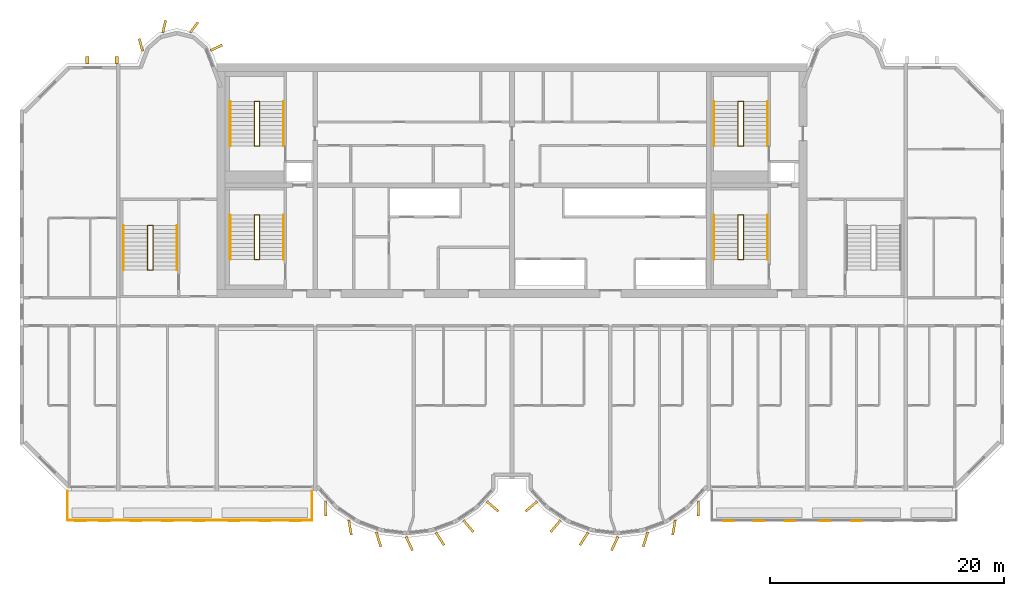
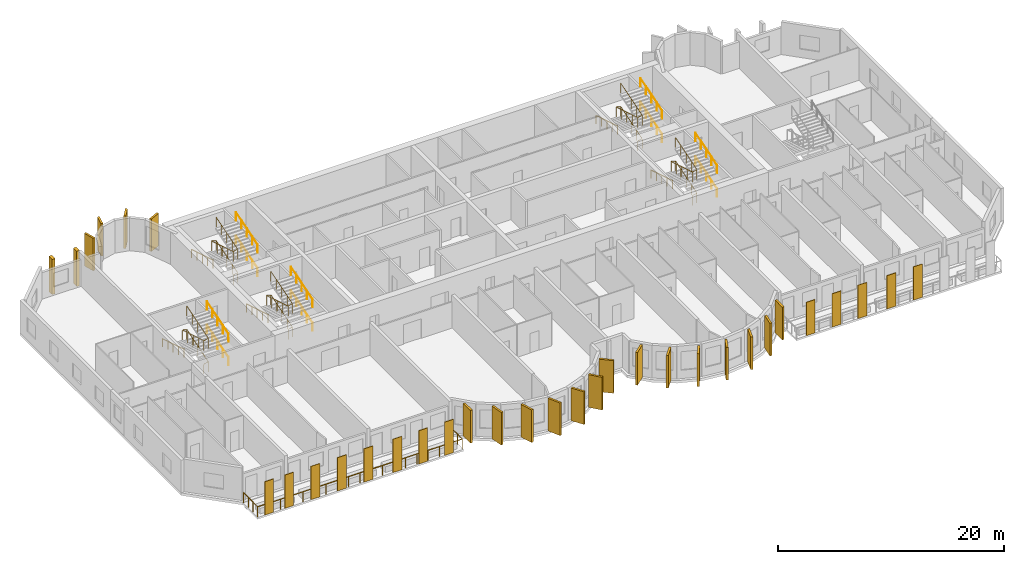
# One storey, part 11 of 13: 33 coverings, 21 railings.
"""IFC4 building model written with IfcOpenShell, lengths in metres."""

from ifc_helpers import new_model, si_unit, direction, frame, origin, origin_2d, place, context, subcontext, project, spatial, rectangle, circle, extrude, source, transform, mapped, material, layer, layer_set, material_profile, profile_set, type_object, element, save


model = new_model("IFC4")

# Units and contexts
model_context = context("Model", 3, precision=1e-05, world=origin(), true_north=direction((0.0, 1.0)))
body_context = subcontext(model_context, "Body", "Model", "MODEL_VIEW")
ifc_project = project(units=[si_unit("LENGTHUNIT", "METRE"), si_unit("AREAUNIT", "SQUARE_METRE"), si_unit("VOLUMEUNIT", "CUBIC_METRE"), si_unit("PLANEANGLEUNIT", "RADIAN"), si_unit("MASSUNIT", "GRAM", prefix="KILO")], contexts=[model_context])

# Site, building, storey
site_placement = place(None, origin())
site = spatial("IfcSite", under=ifc_project, at=site_placement, CompositionType="ELEMENT")
building_placement = place(site_placement, origin())
building = spatial("IfcBuilding", under=site, at=building_placement, Name="Vanashikhar Sky Hotel", CompositionType="ELEMENT")
storey_placement = place(building_placement, frame((0.0, 0.0, 193.39990234375)))
storey = spatial("IfcBuildingStorey", under=building, at=storey_placement, Name="L47", CompositionType="ELEMENT", Elevation=193.39990234375)

# Coverings
ifc_material_1 = material(Name="Terracotta", Category="masonry")
ifc_layer = layer(ifc_material_1, 0.06005859375)
ifc_layer_set = layer_set([ifc_layer], Name="Terracotta baguette screen")
covering_type_1 = type_object("IfcCoveringType", Name="Terracotta baguette screen", PredefinedType="CLADDING", material=ifc_layer_set)
shared_shape_1 = source(origin(), body_context, "Body", "SweptSolid", [
    extrude(rectangle(XDim=0.89990234375, YDim=0.06005859375, at=origin_2d()), origin(), (0.0, 0.0, 1.0), 3.60009765625),
])
for number, where, z_axis, x_axis, name in (
    (1, (13.574951171875, 2.929931640625, -0.050048828125), (0.0, 0.0, 1.0), (1.0, 0.0, 0.0), "Terracotta screen"),
    (2, (15.625, 2.929931640625, -0.050048828125), (0.0, 0.0, 1.0), (1.0, 0.0, 0.0), "Terracotta screen"),
    (3, (18.300048828125, 2.929931640625, -0.050048828125), (0.0, 0.0, 1.0), (1.0, 0.0, 0.0), "Terracotta screen"),
    (4, (21.0, 2.929931640625, -0.050048828125), (0.0, 0.0, 1.0), (1.0, 0.0, 0.0), "Terracotta screen"),
    (5, (23.699951171875, 2.929931640625, -0.050048828125), (0.0, 0.0, 1.0), (1.0, 0.0, 0.0), "Terracotta screen"),
    (6, (26.666748046875, 2.929931640625, -0.050048828125), (0.0, 0.0, 1.0), (1.0, 0.0, 0.0), "Terracotta screen"),
    (7, (29.300048828125, 2.929931640625, -0.050048828125), (0.0, 0.0, 1.0), (1.0, 0.0, 0.0), "Terracotta screen"),
    (8, (31.933349609375, 2.929931640625, -0.050048828125), (0.0, 0.0, 1.0), (1.0, 0.0, 0.0), "Terracotta screen"),
    (9, (68.86669921875, 2.929931640625, -0.050048828125), (0.0, 0.0, 1.0), (1.0, 0.0, 0.0), "Terracotta screen"),
    (10, (71.5, 2.929931640625, -0.050048828125), (0.0, 0.0, 1.0), (1.0, 0.0, 0.0), "Terracotta screen"),
    (11, (74.13330078125, 2.929931640625, -0.050048828125), (0.0, 0.0, 1.0), (1.0, 0.0, 0.0), "Terracotta screen"),
    (12, (77.10009765625, 2.929931640625, -0.050048828125), (0.0, 0.0, 1.0), (1.0, 0.0, 0.0), "Terracotta screen"),
    (13, (79.800048828125, 2.929931640625, -0.050048828125), (0.0, 0.0, 1.0), (1.0, 0.0, 0.0), "Terracotta screen"),
):
    element("IfcCovering", number, at=place(storey_placement, frame(where, z_axis=z_axis, x_axis=x_axis)), inside=storey, type_object=covering_type_1, Name=name, PredefinedType="CLADDING", context=body_context, shape_type="MappedRepresentation", body=[
        mapped(shared_shape_1, transform((0.0, 0.0, 0.0), scale=1.0)),
    ])
ifc_material_2 = material(Name="Concrete M60 dark", Category="concrete")
ifc_material_profile_1 = material_profile(ifc_material_2, rectangle(XDim=1.300048828125, YDim=0.199951171875, at=origin_2d()))
ifc_profile_set_1 = profile_set([ifc_material_profile_1], Name="Fin 1300 x 200")
covering_type_2 = type_object("IfcCoveringType", Name="Fin 1300 x 200", PredefinedType="CLADDING", material=ifc_profile_set_1)
shared_shape_2 = source(origin(), body_context, "Body", "SweptSolid", [
    extrude(rectangle(XDim=1.300048828125, YDim=0.199951171875, at=origin_2d()), origin(), (0.0, 0.0, 1.0), 3.52001953125),
])
for number, where, z_axis, x_axis, name in (
    (14, (34.482421875, 3.992919921875, 0.0), (0.0, 0.0, 1.0), (0.011588726826, -0.999932848451, 0.0), "Fin F1-1"),
    (15, (36.572509765625, 2.3779296875, 0.0), (0.0, 0.0, 1.0), (0.16989991575, -0.985461322746, 0.0), "Fin F1-2"),
    (16, (39.00830078125, 1.35693359375, 0.0), (0.0, 0.0, 1.0), (0.303966551867, -0.952682704444, 0.0), "Fin F1-3"),
    (17, (41.63232421875, 1.00146484375, 0.0), (0.0, 0.0, 1.0), (0.422618261741, -0.906307787037, 0.0), "Fin F1-4"),
    (18, (44.251953125, 1.416015625, 0.0), (0.0, 0.0, 1.0), (0.534411358496, -0.845224526331, 0.0), "Fin F1-5"),
    (19, (46.676025390625, 2.5, 0.0), (0.0, 0.0, 1.0), (0.645697609467, -0.763593214433, 0.0), "Fin F1-6"),
    (20, (48.7412109375, 4.1845703125, 0.0), (0.0, 0.0, 1.0), (0.758543912032, -0.65162192529, 0.0), "Fin F1-7"),
    (21, (52.058837890625, 4.1845703125, 0.0), (0.0, 0.0, 1.0), (-0.758543912032, -0.65162192529, 0.0), "Fin F2-1"),
    (22, (54.123779296875, 2.5, 0.0), (0.0, 0.0, 1.0), (-0.645697609467, -0.763593214433, 0.0), "Fin F2-2"),
    (23, (56.547119140625, 1.416015625, 0.0), (0.0, 0.0, 1.0), (-0.534411358496, -0.845224526331, 0.0), "Fin F2-3"),
    (24, (59.16748046875, 1.00146484375, 0.0), (0.0, 0.0, 1.0), (-0.422618261741, -0.906307787037, 0.0), "Fin F2-4"),
    (25, (61.790771484375, 1.35693359375, 0.0), (0.0, 0.0, 1.0), (-0.303966551867, -0.952682704444, 0.0), "Fin F2-5"),
    (26, (64.2275390625, 2.3779296875, 0.0), (0.0, 0.0, 1.0), (-0.16989991575, -0.985461322746, 0.0), "Fin F2-6"),
    (27, (66.317626953125, 3.992919921875, 0.0), (0.0, 0.0, 1.0), (-0.011588726826, -0.999932848451, 0.0), "Fin F2-7"),
):
    element("IfcCovering", number, at=place(storey_placement, frame(where, z_axis=z_axis, x_axis=x_axis)), inside=storey, type_object=covering_type_2, Name=name, PredefinedType="CLADDING", context=body_context, shape_type="MappedRepresentation", body=[
        mapped(shared_shape_2, transform((0.0, 0.0, 0.0), scale=1.0)),
    ])
ifc_material_profile_2 = material_profile(ifc_material_2, rectangle(XDim=1.10009765625, YDim=0.199951171875, at=origin_2d()))
ifc_profile_set_2 = profile_set([ifc_material_profile_2], Name="Rear lobe fin 1100 x 200")
covering_type_3 = type_object("IfcCoveringType", Name="Rear lobe fin 1100 x 200", PredefinedType="CLADDING", material=ifc_profile_set_2)
shared_shape_3 = source(origin(), body_context, "Body", "SweptSolid", [
    extrude(rectangle(XDim=1.10009765625, YDim=0.199951171875, at=origin_2d()), origin(), (0.0, 0.0, 1.0), 3.52001953125),
])
for number, where, z_axis, x_axis, name in (
    (28, (18.720703125, 43.580078125, 0.0), (0.0, 0.0, 1.0), (-0.262711264409, 0.964874495234, 0.0), "Fin R1-1"),
    (29, (20.710205078125, 45.1455078125, 0.0), (0.0, 0.0, 1.0), (0.224644935864, 0.974440687159, 0.0), "Fin R1-2"),
    (30, (23.261962890625, 45.06640625, 0.0), (0.0, 0.0, 1.0), (0.602065892195, 0.798446404874, 0.0), "Fin R1-3"),
    (31, (25.169677734375, 43.33447265625, 0.0), (0.0, 0.0, 1.0), (0.908004291068, 0.418960866193, 0.0), "Fin R1-4"),
):
    element("IfcCovering", number, at=place(storey_placement, frame(where, z_axis=z_axis, x_axis=x_axis)), inside=storey, type_object=covering_type_3, Name=name, PredefinedType="CLADDING", context=body_context, shape_type="MappedRepresentation", body=[
        mapped(shared_shape_3, transform((0.0, 0.0, 0.0), scale=1.0)),
    ])

# Railing
ifc_material_3 = material(Name="Stainless steel 316", Category="steel")
railing_type_1 = type_object("IfcRailingType", Name="Balcony guard 1100", PredefinedType="GUARDRAIL", material=ifc_material_3)
shared_shape_4 = source(origin(), body_context, "Body", "SweptSolid", [
    extrude(circle(Radius=0.02392578125, at=origin_2d()), frame((0.0, 0.0, 1.076171875), z_axis=(0.0, -1.0, 0.0), x_axis=(1.0, 0.0, 0.0)), (0.0, 0.0, 1.0), 2.5),
    extrude(circle(Radius=0.02392578125, at=origin_2d()), frame((0.0, -2.5, 1.076171875), z_axis=(1.0, 0.0, 0.0), x_axis=(0.0, 1.0, 0.0)), (0.0, 0.0, 1.0), 20.880126953125),
    extrude(circle(Radius=0.02392578125, at=origin_2d()), frame((20.880126953125, -2.5, 1.076171875), z_axis=(0.0, 1.0, 0.0), x_axis=(-1.0, 0.0, 0.0)), (0.0, 0.0, 1.0), 2.5),
    extrude(circle(Radius=0.02099609375, at=origin_2d()), origin(), (0.0, 0.0, 1.0), 1.052001953125),
    extrude(circle(Radius=0.02099609375, at=origin_2d()), frame((0.0, -0.833251953125, 0.0)), (0.0, 0.0, 1.0), 1.052001953125),
    extrude(circle(Radius=0.02099609375, at=origin_2d()), frame((0.0, -1.666748046875, 0.0)), (0.0, 0.0, 1.0), 1.052001953125),
    extrude(circle(Radius=0.02099609375, at=origin_2d()), frame((0.0, -2.5, 0.0)), (0.0, 0.0, 1.0), 1.052001953125),
    extrude(circle(Radius=0.02099609375, at=origin_2d()), frame((1.159912109375, -2.5, 0.0)), (0.0, 0.0, 1.0), 1.052001953125),
    extrude(circle(Radius=0.02099609375, at=origin_2d()), frame((2.320068359375, -2.5, 0.0)), (0.0, 0.0, 1.0), 1.052001953125),
    extrude(circle(Radius=0.02099609375, at=origin_2d()), frame((3.47998046875, -2.5, 0.0)), (0.0, 0.0, 1.0), 1.052001953125),
    extrude(circle(Radius=0.02099609375, at=origin_2d()), frame((4.64013671875, -2.5, 0.0)), (0.0, 0.0, 1.0), 1.052001953125),
    extrude(circle(Radius=0.02099609375, at=origin_2d()), frame((5.800048828125, -2.5, 0.0)), (0.0, 0.0, 1.0), 1.052001953125),
    extrude(circle(Radius=0.02099609375, at=origin_2d()), frame((6.9599609375, -2.5, 0.0)), (0.0, 0.0, 1.0), 1.052001953125),
    extrude(circle(Radius=0.02099609375, at=origin_2d()), frame((8.1201171875, -2.5, 0.0)), (0.0, 0.0, 1.0), 1.052001953125),
    extrude(circle(Radius=0.02099609375, at=origin_2d()), frame((9.280029296875, -2.5, 0.0)), (0.0, 0.0, 1.0), 1.052001953125),
    extrude(circle(Radius=0.02099609375, at=origin_2d()), frame((10.43994140625, -2.5, 0.0)), (0.0, 0.0, 1.0), 1.052001953125),
    extrude(circle(Radius=0.02099609375, at=origin_2d()), frame((11.60009765625, -2.5, 0.0)), (0.0, 0.0, 1.0), 1.052001953125),
    extrude(circle(Radius=0.02099609375, at=origin_2d()), frame((12.760009765625, -2.5, 0.0)), (0.0, 0.0, 1.0), 1.052001953125),
    extrude(circle(Radius=0.02099609375, at=origin_2d()), frame((13.920166015625, -2.5, 0.0)), (0.0, 0.0, 1.0), 1.052001953125),
    extrude(circle(Radius=0.02099609375, at=origin_2d()), frame((15.080078125, -2.5, 0.0)), (0.0, 0.0, 1.0), 1.052001953125),
    extrude(circle(Radius=0.02099609375, at=origin_2d()), frame((16.239990234375, -2.5, 0.0)), (0.0, 0.0, 1.0), 1.052001953125),
    extrude(circle(Radius=0.02099609375, at=origin_2d()), frame((17.400146484375, -2.5, 0.0)), (0.0, 0.0, 1.0), 1.052001953125),
    extrude(circle(Radius=0.02099609375, at=origin_2d()), frame((18.56005859375, -2.5, 0.0)), (0.0, 0.0, 1.0), 1.052001953125),
    extrude(circle(Radius=0.02099609375, at=origin_2d()), frame((19.72021484375, -2.5, 0.0)), (0.0, 0.0, 1.0), 1.052001953125),
    extrude(circle(Radius=0.02099609375, at=origin_2d()), frame((20.880126953125, -2.5, 0.0)), (0.0, 0.0, 1.0), 1.052001953125),
    extrude(circle(Radius=0.02099609375, at=origin_2d()), frame((20.880126953125, -1.666748046875, 0.0)), (0.0, 0.0, 1.0), 1.052001953125),
    extrude(circle(Radius=0.02099609375, at=origin_2d()), frame((20.880126953125, -0.833251953125, 0.0)), (0.0, 0.0, 1.0), 1.052001953125),
    extrude(circle(Radius=0.02099609375, at=origin_2d()), frame((20.880126953125, 0.0, 0.0)), (0.0, 0.0, 1.0), 1.052001953125),
])
railing_1_placement = place(storey_placement, frame((12.4599609375, 5.5, -0.0498046875)))
element("IfcRailing", 32, at=railing_1_placement, inside=storey, type_object=railing_type_1, Name="Balcony guard", PredefinedType="GUARDRAIL", context=body_context, shape_type="MappedRepresentation", body=[
    mapped(shared_shape_4, transform((0.0, 0.0, 0.0), scale=1.0)),
])

# Coverings
ifc_material_profile_3 = material_profile(ifc_material_2, rectangle(XDim=0.60009765625, YDim=0.300048828125, at=origin_2d()))
ifc_profile_set_3 = profile_set([ifc_material_profile_3], Name="Rear rib 600 x 300")
covering_type_4 = type_object("IfcCoveringType", Name="Rear rib 600 x 300", PredefinedType="CLADDING", material=ifc_profile_set_3)
shared_shape_5 = source(origin(), body_context, "Body", "SweptSolid", [
    extrude(rectangle(XDim=0.60009765625, YDim=0.300048828125, at=origin_2d()), origin(), (0.0, 0.0, 1.0), 3.7998046875),
])
for number, where, z_axis, x_axis, name in (
    (33, (14.14990234375, 42.300048828125, -0.27978515625), (0.0, 0.0, 1.0), (0.0, 1.0, 0.0), "Rear rib"),
    (34, (16.64990234375, 42.300048828125, -0.27978515625), (0.0, 0.0, 1.0), (0.0, 1.0, 0.0), "Rear rib"),
):
    element("IfcCovering", number, at=place(storey_placement, frame(where, z_axis=z_axis, x_axis=x_axis)), inside=storey, type_object=covering_type_4, Name=name, PredefinedType="CLADDING", context=body_context, shape_type="MappedRepresentation", body=[
        mapped(shared_shape_5, transform((0.0, 0.0, 0.0), scale=1.0)),
    ])

# Railings
ifc_material_4 = material(Name="Steel S355", Category="steel")
railing_type_2 = type_object("IfcRailingType", Name="Stair handrail 900", PredefinedType="HANDRAIL", material=ifc_material_4)
shared_shape_6 = source(origin(), body_context, "Body", "SweptSolid", [
    extrude(circle(Radius=0.02392578125, at=origin_2d()), frame((0.0, 0.0, 0.8759765625), z_axis=(0.0, 0.95635109408, 0.292220096591), x_axis=(-1.0, 0.0, 0.0)), (0.0, 0.0, 1.0), 3.973388671875),
    extrude(circle(Radius=0.02099609375, at=origin_2d()), origin(), (0.0, 0.0, 1.0), 0.851806640625),
    extrude(circle(Radius=0.02099609375, at=origin_2d()), frame((0.0, 0.949951171875, 0.290283203125)), (0.0, 0.0, 1.0), 0.851806640625),
    extrude(circle(Radius=0.02099609375, at=origin_2d()), frame((0.0, 1.89990234375, 0.58056640625)), (0.0, 0.0, 1.0), 0.851806640625),
    extrude(circle(Radius=0.02099609375, at=origin_2d()), frame((0.0, 2.85009765625, 0.870849609375)), (0.0, 0.0, 1.0), 0.851806640625),
    extrude(circle(Radius=0.02099609375, at=origin_2d()), frame((0.0, 3.800048828125, 1.1611328125)), (0.0, 0.0, 1.0), 0.851806640625),
])
for number, where, name in (
    (35, (30.89990234375, 25.25, 0.105712890625), "Exit stair 1 handrail"),
    (36, (30.89990234375, 25.25, 2.638916015625), "Exit stair 1 handrail"),
    (37, (72.199951171875, 25.25, 0.105712890625), "Exit stair 2 handrail"),
    (38, (72.199951171875, 25.25, 2.638916015625), "Exit stair 2 handrail"),
    (39, (30.89990234375, 34.949951171875, 0.105712890625), "Exit stair 5 handrail"),
    (40, (30.89990234375, 34.949951171875, 2.638916015625), "Exit stair 5 handrail"),
    (41, (72.199951171875, 34.949951171875, 0.105712890625), "Exit stair 6 handrail"),
    (42, (72.199951171875, 34.949951171875, 2.638916015625), "Exit stair 6 handrail"),
):
    element("IfcRailing", number, at=place(storey_placement, frame(where)), inside=storey, type_object=railing_type_2, Name=name, PredefinedType="HANDRAIL", context=body_context, shape_type="MappedRepresentation", body=[
        mapped(shared_shape_6, transform((0.0, 0.0, 0.0), scale=1.0)),
    ])
shared_shape_7 = source(origin(), body_context, "Body", "SweptSolid", [
    extrude(circle(Radius=0.02392578125, at=origin_2d()), frame((0.0, 0.0, 0.8759765625), z_axis=(0.0, -0.95635109408, 0.292220096591), x_axis=(1.0, 0.0, 0.0)), (0.0, 0.0, 1.0), 3.973388671875),
    extrude(circle(Radius=0.02099609375, at=origin_2d()), origin(), (0.0, 0.0, 1.0), 0.851806640625),
    extrude(circle(Radius=0.02099609375, at=origin_2d()), frame((0.0, -0.949951171875, 0.290283203125)), (0.0, 0.0, 1.0), 0.851806640625),
    extrude(circle(Radius=0.02099609375, at=origin_2d()), frame((0.0, -1.89990234375, 0.58056640625)), (0.0, 0.0, 1.0), 0.851806640625),
    extrude(circle(Radius=0.02099609375, at=origin_2d()), frame((0.0, -2.85009765625, 0.870849609375)), (0.0, 0.0, 1.0), 0.851806640625),
    extrude(circle(Radius=0.02099609375, at=origin_2d()), frame((0.0, -3.800048828125, 1.1611328125)), (0.0, 0.0, 1.0), 0.851806640625),
])
for number, where, name in (
    (43, (26.35009765625, 29.050048828125, 1.372314453125), "Exit stair 1 handrail"),
    (44, (67.64990234375, 29.050048828125, 1.372314453125), "Exit stair 2 handrail"),
    (45, (26.35009765625, 38.75, 1.372314453125), "Exit stair 5 handrail"),
    (46, (67.64990234375, 38.75, 1.372314453125), "Exit stair 6 handrail"),
):
    element("IfcRailing", number, at=place(storey_placement, frame(where)), inside=storey, type_object=railing_type_2, Name=name, PredefinedType="HANDRAIL", context=body_context, shape_type="MappedRepresentation", body=[
        mapped(shared_shape_7, transform((0.0, 0.0, 0.0), scale=1.0)),
    ])
railing_type_3 = type_object("IfcRailingType", Name="Stair guard 1100", PredefinedType="GUARDRAIL", material=ifc_material_4)
shared_shape_8 = source(origin(), body_context, "Body", "SweptSolid", [
    extrude(circle(Radius=0.02392578125, at=origin_2d()), frame((0.0, 0.0, 1.076171875), z_axis=(0.973520925263, 0.0, 0.228597917917), x_axis=(0.0, 1.0, 0.0)), (0.0, 0.0, 1.0), 0.46240234375),
    extrude(circle(Radius=0.02392578125, at=origin_2d()), frame((0.4501953125, 0.0, 1.181640625), z_axis=(0.0, 0.95635109408, 0.292220096591), x_axis=(-1.0, 0.0, 0.0)), (0.0, 0.0, 1.0), 3.973388671875),
    extrude(circle(Radius=0.02392578125, at=origin_2d()), frame((0.4501953125, 3.800048828125, 2.3427734375), z_axis=(-0.973638301096, 0.0, 0.228097476179), x_axis=(0.0, -1.0, 0.0)), (0.0, 0.0, 1.0), 0.46240234375),
    extrude(circle(Radius=0.02392578125, at=origin_2d()), frame((0.0, 3.800048828125, 2.4482421875), z_axis=(0.0, -0.95635109408, 0.292220096591), x_axis=(1.0, 0.0, 0.0)), (0.0, 0.0, 1.0), 3.973388671875),
    extrude(circle(Radius=0.02392578125, at=origin_2d()), frame((0.0, 0.0, 3.609375), z_axis=(0.973638301096, 0.0, 0.228097476179), x_axis=(0.0, 1.0, 0.0)), (0.0, 0.0, 1.0), 0.46240234375),
    extrude(circle(Radius=0.02392578125, at=origin_2d()), frame((0.4501953125, 0.0, 3.71484375), z_axis=(0.0, 0.95635109408, 0.292220096591), x_axis=(-1.0, 0.0, 0.0)), (0.0, 0.0, 1.0), 3.973388671875),
    extrude(circle(Radius=0.02099609375, at=origin_2d()), origin(), (0.0, 0.0, 1.0), 1.052001953125),
    extrude(circle(Radius=0.02099609375, at=origin_2d()), frame((0.4501953125, 0.0, 0.105712890625)), (0.0, 0.0, 1.0), 1.052001953125),
    extrude(circle(Radius=0.02099609375, at=origin_2d()), frame((0.4501953125, 0.949951171875, 0.39599609375)), (0.0, 0.0, 1.0), 1.052001953125),
    extrude(circle(Radius=0.02099609375, at=origin_2d()), frame((0.4501953125, 1.89990234375, 0.686279296875)), (0.0, 0.0, 1.0), 1.052001953125),
    extrude(circle(Radius=0.02099609375, at=origin_2d()), frame((0.4501953125, 2.85009765625, 0.9765625)), (0.0, 0.0, 1.0), 1.052001953125),
    extrude(circle(Radius=0.02099609375, at=origin_2d()), frame((0.4501953125, 3.800048828125, 1.266845703125)), (0.0, 0.0, 1.0), 1.052001953125),
    extrude(circle(Radius=0.02099609375, at=origin_2d()), frame((0.0, 3.800048828125, 1.372314453125)), (0.0, 0.0, 1.0), 1.052001953125),
    extrude(circle(Radius=0.02099609375, at=origin_2d()), frame((0.0, 2.85009765625, 1.66259765625)), (0.0, 0.0, 1.0), 1.052001953125),
    extrude(circle(Radius=0.02099609375, at=origin_2d()), frame((0.0, 1.89990234375, 1.952880859375)), (0.0, 0.0, 1.0), 1.052001953125),
    extrude(circle(Radius=0.02099609375, at=origin_2d()), frame((0.0, 0.949951171875, 2.2431640625)), (0.0, 0.0, 1.0), 1.052001953125),
    extrude(circle(Radius=0.02099609375, at=origin_2d()), frame((0.0, 0.0, 2.533447265625)), (0.0, 0.0, 1.0), 1.052001953125),
    extrude(circle(Radius=0.02099609375, at=origin_2d()), frame((0.4501953125, 0.0, 2.638916015625)), (0.0, 0.0, 1.0), 1.052001953125),
    extrude(circle(Radius=0.02099609375, at=origin_2d()), frame((0.4501953125, 0.949951171875, 2.92919921875)), (0.0, 0.0, 1.0), 1.052001953125),
    extrude(circle(Radius=0.02099609375, at=origin_2d()), frame((0.4501953125, 1.89990234375, 3.219482421875)), (0.0, 0.0, 1.0), 1.052001953125),
    extrude(circle(Radius=0.02099609375, at=origin_2d()), frame((0.4501953125, 2.85009765625, 3.509765625)), (0.0, 0.0, 1.0), 1.052001953125),
    extrude(circle(Radius=0.02099609375, at=origin_2d()), frame((0.4501953125, 3.800048828125, 3.800048828125)), (0.0, 0.0, 1.0), 1.052001953125),
])
for number, where, name in (
    (47, (28.39990234375, 25.25, 0.0), "Exit stair 1 guard"),
    (48, (28.39990234375, 34.949951171875, 0.0), "Exit stair 5 guard"),
):
    element("IfcRailing", number, at=place(storey_placement, frame(where)), inside=storey, type_object=railing_type_3, Name=name, PredefinedType="GUARDRAIL", context=body_context, shape_type="MappedRepresentation", body=[
        mapped(shared_shape_8, transform((0.0, 0.0, 0.0), scale=1.0)),
    ])
shared_shape_9 = source(origin(), body_context, "Body", "SweptSolid", [
    extrude(circle(Radius=0.02392578125, at=origin_2d()), frame((0.0, 0.0, 1.076171875), z_axis=(0.973493315427, 0.0, 0.228715466945), x_axis=(0.0, 1.0, 0.0)), (0.0, 0.0, 1.0), 0.462158203125),
    extrude(circle(Radius=0.02392578125, at=origin_2d()), frame((0.449951171875, 0.0, 1.181640625), z_axis=(0.0, 0.95635109408, 0.292220096591), x_axis=(-1.0, 0.0, 0.0)), (0.0, 0.0, 1.0), 3.973388671875),
    extrude(circle(Radius=0.02392578125, at=origin_2d()), frame((0.449951171875, 3.800048828125, 2.3427734375), z_axis=(-0.973610808694, 0.0, 0.228214796178), x_axis=(0.0, -1.0, 0.0)), (0.0, 0.0, 1.0), 0.462158203125),
    extrude(circle(Radius=0.02392578125, at=origin_2d()), frame((0.0, 3.800048828125, 2.4482421875), z_axis=(0.0, -0.95635109408, 0.292220096591), x_axis=(1.0, 0.0, 0.0)), (0.0, 0.0, 1.0), 3.973388671875),
    extrude(circle(Radius=0.02392578125, at=origin_2d()), frame((0.0, 0.0, 3.609375), z_axis=(0.973610808694, 0.0, 0.228214796178), x_axis=(0.0, 1.0, 0.0)), (0.0, 0.0, 1.0), 0.462158203125),
    extrude(circle(Radius=0.02392578125, at=origin_2d()), frame((0.449951171875, 0.0, 3.71484375), z_axis=(0.0, 0.95635109408, 0.292220096591), x_axis=(-1.0, 0.0, 0.0)), (0.0, 0.0, 1.0), 3.973388671875),
    extrude(circle(Radius=0.02099609375, at=origin_2d()), origin(), (0.0, 0.0, 1.0), 1.052001953125),
    extrude(circle(Radius=0.02099609375, at=origin_2d()), frame((0.449951171875, 0.0, 0.105712890625)), (0.0, 0.0, 1.0), 1.052001953125),
    extrude(circle(Radius=0.02099609375, at=origin_2d()), frame((0.449951171875, 0.949951171875, 0.39599609375)), (0.0, 0.0, 1.0), 1.052001953125),
    extrude(circle(Radius=0.02099609375, at=origin_2d()), frame((0.449951171875, 1.89990234375, 0.686279296875)), (0.0, 0.0, 1.0), 1.052001953125),
    extrude(circle(Radius=0.02099609375, at=origin_2d()), frame((0.449951171875, 2.85009765625, 0.9765625)), (0.0, 0.0, 1.0), 1.052001953125),
    extrude(circle(Radius=0.02099609375, at=origin_2d()), frame((0.449951171875, 3.800048828125, 1.266845703125)), (0.0, 0.0, 1.0), 1.052001953125),
    extrude(circle(Radius=0.02099609375, at=origin_2d()), frame((0.0, 3.800048828125, 1.372314453125)), (0.0, 0.0, 1.0), 1.052001953125),
    extrude(circle(Radius=0.02099609375, at=origin_2d()), frame((0.0, 2.85009765625, 1.66259765625)), (0.0, 0.0, 1.0), 1.052001953125),
    extrude(circle(Radius=0.02099609375, at=origin_2d()), frame((0.0, 1.89990234375, 1.952880859375)), (0.0, 0.0, 1.0), 1.052001953125),
    extrude(circle(Radius=0.02099609375, at=origin_2d()), frame((0.0, 0.949951171875, 2.2431640625)), (0.0, 0.0, 1.0), 1.052001953125),
    extrude(circle(Radius=0.02099609375, at=origin_2d()), frame((0.0, 0.0, 2.533447265625)), (0.0, 0.0, 1.0), 1.052001953125),
    extrude(circle(Radius=0.02099609375, at=origin_2d()), frame((0.449951171875, 0.0, 2.638916015625)), (0.0, 0.0, 1.0), 1.052001953125),
    extrude(circle(Radius=0.02099609375, at=origin_2d()), frame((0.449951171875, 0.949951171875, 2.92919921875)), (0.0, 0.0, 1.0), 1.052001953125),
    extrude(circle(Radius=0.02099609375, at=origin_2d()), frame((0.449951171875, 1.89990234375, 3.219482421875)), (0.0, 0.0, 1.0), 1.052001953125),
    extrude(circle(Radius=0.02099609375, at=origin_2d()), frame((0.449951171875, 2.85009765625, 3.509765625)), (0.0, 0.0, 1.0), 1.052001953125),
    extrude(circle(Radius=0.02099609375, at=origin_2d()), frame((0.449951171875, 3.800048828125, 3.800048828125)), (0.0, 0.0, 1.0), 1.052001953125),
])
for number, where, name in (
    (49, (69.699951171875, 25.25, 0.0), "Exit stair 2 guard"),
    (50, (69.699951171875, 34.949951171875, 0.0), "Exit stair 6 guard"),
):
    element("IfcRailing", number, at=place(storey_placement, frame(where)), inside=storey, type_object=railing_type_3, Name=name, PredefinedType="GUARDRAIL", context=body_context, shape_type="MappedRepresentation", body=[
        mapped(shared_shape_9, transform((0.0, 0.0, 0.0), scale=1.0)),
    ])
shared_shape_10 = source(origin(), body_context, "Body", "SweptSolid", [
    extrude(circle(Radius=0.02392578125, at=origin_2d()), frame((0.0, 0.0, 0.8759765625), z_axis=(0.0, 0.956345846891, 0.292237268557), x_axis=(-1.0, 0.0, 0.0)), (0.0, 0.0, 1.0), 3.97314453125),
    extrude(circle(Radius=0.02099609375, at=origin_2d()), origin(), (0.0, 0.0, 1.0), 0.851806640625),
    extrude(circle(Radius=0.02099609375, at=origin_2d()), frame((0.0, 0.949951171875, 0.290283203125)), (0.0, 0.0, 1.0), 0.851806640625),
    extrude(circle(Radius=0.02099609375, at=origin_2d()), frame((0.0, 1.89990234375, 0.58056640625)), (0.0, 0.0, 1.0), 0.851806640625),
    extrude(circle(Radius=0.02099609375, at=origin_2d()), frame((0.0, 2.849853515625, 0.870849609375)), (0.0, 0.0, 1.0), 0.851806640625),
    extrude(circle(Radius=0.02099609375, at=origin_2d()), frame((0.0, 3.7998046875, 1.1611328125)), (0.0, 0.0, 1.0), 0.851806640625),
])
for number, where, name in (
    (51, (21.800048828125, 24.35009765625, 0.105712890625), "Exit stair 3 handrail"),
    (52, (21.800048828125, 24.35009765625, 2.638916015625), "Exit stair 3 handrail"),
):
    element("IfcRailing", number, at=place(storey_placement, frame(where)), inside=storey, type_object=railing_type_2, Name=name, PredefinedType="HANDRAIL", context=body_context, shape_type="MappedRepresentation", body=[
        mapped(shared_shape_10, transform((0.0, 0.0, 0.0), scale=1.0)),
    ])
shared_shape_11 = source(origin(), body_context, "Body", "SweptSolid", [
    extrude(circle(Radius=0.02392578125, at=origin_2d()), frame((0.0, 0.0, 0.8759765625), z_axis=(0.0, -0.956345846891, 0.292237268557), x_axis=(1.0, 0.0, 0.0)), (0.0, 0.0, 1.0), 3.97314453125),
    extrude(circle(Radius=0.02099609375, at=origin_2d()), origin(), (0.0, 0.0, 1.0), 0.851806640625),
    extrude(circle(Radius=0.02099609375, at=origin_2d()), frame((0.0, -0.949951171875, 0.290283203125)), (0.0, 0.0, 1.0), 0.851806640625),
    extrude(circle(Radius=0.02099609375, at=origin_2d()), frame((0.0, -1.89990234375, 0.58056640625)), (0.0, 0.0, 1.0), 0.851806640625),
    extrude(circle(Radius=0.02099609375, at=origin_2d()), frame((0.0, -2.849853515625, 0.870849609375)), (0.0, 0.0, 1.0), 0.851806640625),
    extrude(circle(Radius=0.02099609375, at=origin_2d()), frame((0.0, -3.7998046875, 1.1611328125)), (0.0, 0.0, 1.0), 0.851806640625),
])
railing_2_placement = place(storey_placement, frame((17.25, 28.14990234375, 1.372314453125)))
element("IfcRailing", 53, at=railing_2_placement, inside=storey, type_object=railing_type_2, Name="Exit stair 3 handrail", PredefinedType="HANDRAIL", context=body_context, shape_type="MappedRepresentation", body=[
    mapped(shared_shape_11, transform((0.0, 0.0, 0.0), scale=1.0)),
])
shared_shape_12 = source(origin(), body_context, "Body", "SweptSolid", [
    extrude(circle(Radius=0.02392578125, at=origin_2d()), frame((0.0, 0.0, 1.076171875), z_axis=(0.973493315427, 0.0, 0.228715466945), x_axis=(0.0, 1.0, 0.0)), (0.0, 0.0, 1.0), 0.462158203125),
    extrude(circle(Radius=0.02392578125, at=origin_2d()), frame((0.449951171875, 0.0, 1.181640625), z_axis=(0.0, 0.956345846891, 0.292237268557), x_axis=(-1.0, 0.0, 0.0)), (0.0, 0.0, 1.0), 3.97314453125),
    extrude(circle(Radius=0.02392578125, at=origin_2d()), frame((0.449951171875, 3.7998046875, 2.3427734375), z_axis=(-0.973610808694, 0.0, 0.228214796178), x_axis=(0.0, -1.0, 0.0)), (0.0, 0.0, 1.0), 0.462158203125),
    extrude(circle(Radius=0.02392578125, at=origin_2d()), frame((0.0, 3.7998046875, 2.4482421875), z_axis=(0.0, -0.956345846891, 0.292237268557), x_axis=(1.0, 0.0, 0.0)), (0.0, 0.0, 1.0), 3.97314453125),
    extrude(circle(Radius=0.02392578125, at=origin_2d()), frame((0.0, 0.0, 3.609375), z_axis=(0.973610808694, 0.0, 0.228214796178), x_axis=(0.0, 1.0, 0.0)), (0.0, 0.0, 1.0), 0.462158203125),
    extrude(circle(Radius=0.02392578125, at=origin_2d()), frame((0.449951171875, 0.0, 3.71484375), z_axis=(0.0, 0.956345846891, 0.292237268557), x_axis=(-1.0, 0.0, 0.0)), (0.0, 0.0, 1.0), 3.97314453125),
    extrude(circle(Radius=0.02099609375, at=origin_2d()), origin(), (0.0, 0.0, 1.0), 1.052001953125),
    extrude(circle(Radius=0.02099609375, at=origin_2d()), frame((0.449951171875, 0.0, 0.105712890625)), (0.0, 0.0, 1.0), 1.052001953125),
    extrude(circle(Radius=0.02099609375, at=origin_2d()), frame((0.449951171875, 0.949951171875, 0.39599609375)), (0.0, 0.0, 1.0), 1.052001953125),
    extrude(circle(Radius=0.02099609375, at=origin_2d()), frame((0.449951171875, 1.89990234375, 0.686279296875)), (0.0, 0.0, 1.0), 1.052001953125),
    extrude(circle(Radius=0.02099609375, at=origin_2d()), frame((0.449951171875, 2.849853515625, 0.9765625)), (0.0, 0.0, 1.0), 1.052001953125),
    extrude(circle(Radius=0.02099609375, at=origin_2d()), frame((0.449951171875, 3.7998046875, 1.266845703125)), (0.0, 0.0, 1.0), 1.052001953125),
    extrude(circle(Radius=0.02099609375, at=origin_2d()), frame((0.0, 3.7998046875, 1.372314453125)), (0.0, 0.0, 1.0), 1.052001953125),
    extrude(circle(Radius=0.02099609375, at=origin_2d()), frame((0.0, 2.849853515625, 1.66259765625)), (0.0, 0.0, 1.0), 1.052001953125),
    extrude(circle(Radius=0.02099609375, at=origin_2d()), frame((0.0, 1.89990234375, 1.952880859375)), (0.0, 0.0, 1.0), 1.052001953125),
    extrude(circle(Radius=0.02099609375, at=origin_2d()), frame((0.0, 0.949951171875, 2.2431640625)), (0.0, 0.0, 1.0), 1.052001953125),
    extrude(circle(Radius=0.02099609375, at=origin_2d()), frame((0.0, 0.0, 2.533447265625)), (0.0, 0.0, 1.0), 1.052001953125),
    extrude(circle(Radius=0.02099609375, at=origin_2d()), frame((0.449951171875, 0.0, 2.638916015625)), (0.0, 0.0, 1.0), 1.052001953125),
    extrude(circle(Radius=0.02099609375, at=origin_2d()), frame((0.449951171875, 0.949951171875, 2.92919921875)), (0.0, 0.0, 1.0), 1.052001953125),
    extrude(circle(Radius=0.02099609375, at=origin_2d()), frame((0.449951171875, 1.89990234375, 3.219482421875)), (0.0, 0.0, 1.0), 1.052001953125),
    extrude(circle(Radius=0.02099609375, at=origin_2d()), frame((0.449951171875, 2.849853515625, 3.509765625)), (0.0, 0.0, 1.0), 1.052001953125),
    extrude(circle(Radius=0.02099609375, at=origin_2d()), frame((0.449951171875, 3.7998046875, 3.800048828125)), (0.0, 0.0, 1.0), 1.052001953125),
])
railing_3_placement = place(storey_placement, frame((19.300048828125, 24.35009765625, 0.0)))
element("IfcRailing", 54, at=railing_3_placement, inside=storey, type_object=railing_type_3, Name="Exit stair 3 guard", PredefinedType="GUARDRAIL", context=body_context, shape_type="MappedRepresentation", body=[
    mapped(shared_shape_12, transform((0.0, 0.0, 0.0), scale=1.0)),
])

save(model, "model.ifc")
